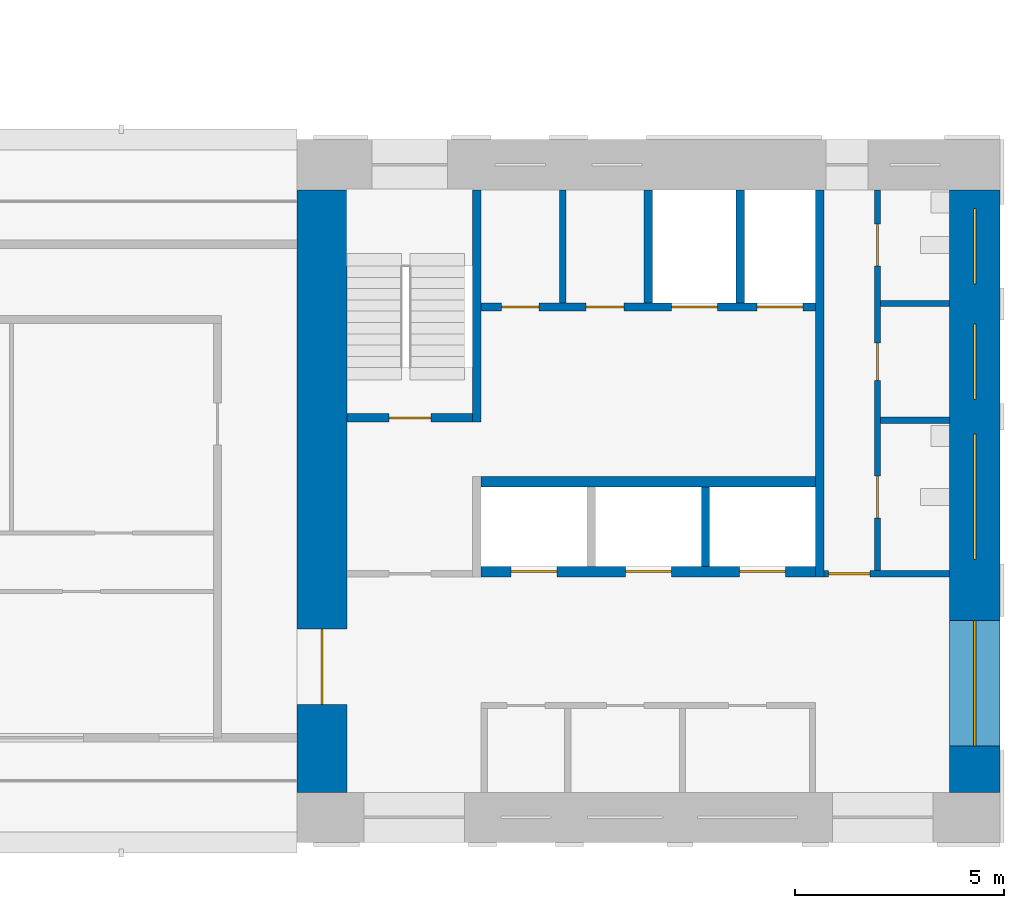
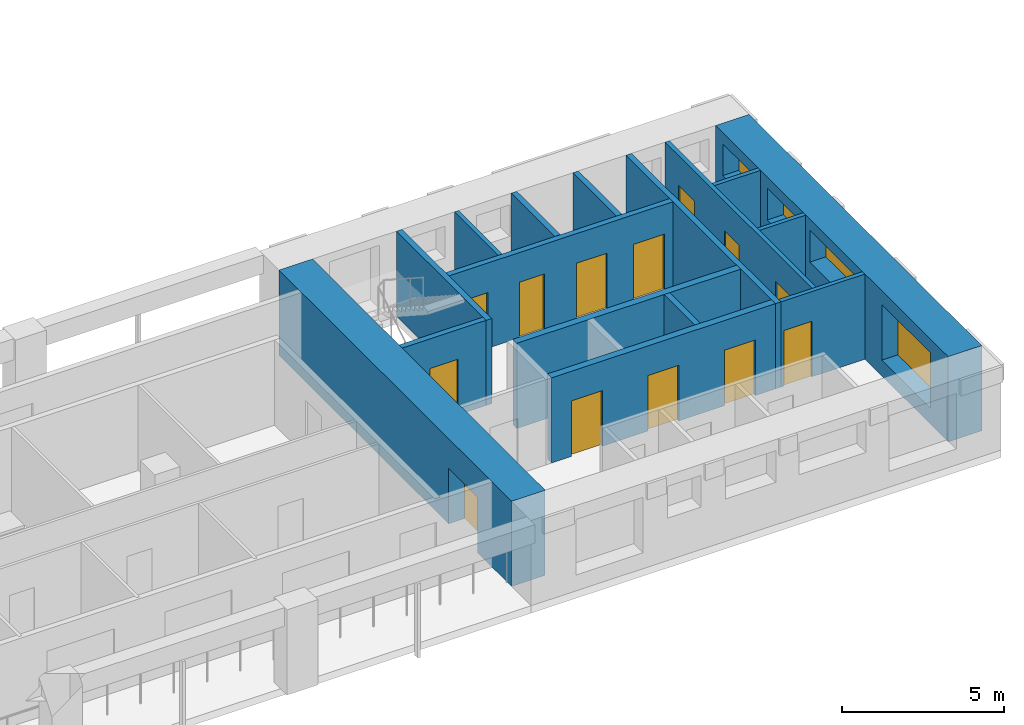
# One storey, part 4 of 9: 16 walls, 13 doors, 4 windows, 17 openings.
"""IFC4 building model written with IfcOpenShell, lengths in metres."""

import ifcopenshell
import ifcopenshell.guid

model = None  # the IFC model being written
_history = None  # IfcOwnerHistory: only IFC2X3 demands one
_inside = {}  # id of a spatial element -> (the spatial element, [elements in it])
_under = {}  # id of a project, library or spatial element -> (it, [spatial elements below it])
_declared = {}  # id of a project -> (the project, [libraries it declares])
_typed = {}  # id of a type object -> (the type object, [elements of that type])
_made_of = {}  # id of a material, layer set ... -> (it, [elements and type objects made of it])


def new_model(schema):
    """Start an empty IFC model of exactly this schema.

    Asked for "IFC4X3", IfcOpenShell would pick the latest addendum, in which some entities
    have other attributes; the version numbers below select the first issue.
    IFC2X3 requires an IfcOwnerHistory on every rooted entity: one is made here for all.
    """
    global model, _history
    if schema == "IFC4X3":
        model = ifcopenshell.file(schema_version=(4, 3, 0, 0))
    else:
        model = ifcopenshell.file(schema=schema)
    _inside.clear()
    _under.clear()
    _declared.clear()
    _typed.clear()
    _made_of.clear()
    _history = None
    if model.schema == "IFC2X3":
        org = make("IfcOrganization", Name="unknown")
        user = make(
            "IfcPersonAndOrganization",
            ThePerson=make("IfcPerson", FamilyName="unknown"),
            TheOrganization=org,
        )
        app = make(
            "IfcApplication",
            ApplicationDeveloper=org,
            Version="unknown",
            ApplicationFullName="unknown",
            ApplicationIdentifier="unknown",
        )
        _history = make(
            "IfcOwnerHistory",
            OwningUser=user,
            OwningApplication=app,
            ChangeAction="ADDED",
            CreationDate=0,
        )
    return model


def make(cls, **values):
    """One entity of the class cls with the attributes given. An attribute that is None is left unset."""
    return model.create_entity(
        cls, **{name: value for name, value in values.items() if value is not None}
    )


def rooted(cls, **values):
    """An entity with a GlobalId (a new one), such as an element, a storey or a relation."""
    return make(cls, GlobalId=ifcopenshell.guid.new(), OwnerHistory=_history, **values)


def si_unit(unit_type, name, prefix=None):
    """IfcSIUnit, for example si_unit("LENGTHUNIT", "METRE", prefix="MILLI")."""
    return make("IfcSIUnit", UnitType=unit_type, Prefix=prefix, Name=name)


def assignment(units):
    """IfcUnitAssignment: the units of a project."""
    return None if units is None else make("IfcUnitAssignment", Units=units)


def point(xyz):
    """IfcCartesianPoint."""
    return None if xyz is None else make("IfcCartesianPoint", Coordinates=xyz)


def direction(xyz):
    """IfcDirection."""
    return None if xyz is None else make("IfcDirection", DirectionRatios=xyz)


def frame(location, z_axis=None, x_axis=None):
    """IfcAxis2Placement3D, a coordinate frame: its origin and axes. An axis left out is left unset."""
    return make(
        "IfcAxis2Placement3D",
        Location=point(location),
        Axis=direction(z_axis),
        RefDirection=direction(x_axis),
    )


def frame_2d(location, x_axis=None):
    """IfcAxis2Placement2D, a coordinate frame in the plane: its origin and x axis."""
    return make(
        "IfcAxis2Placement2D", Location=point(location), RefDirection=direction(x_axis)
    )


def origin():
    """The frame at (0, 0, 0) with its axes left unset."""
    return frame((0.0, 0.0, 0.0))


def place(relative_to, where):
    """IfcLocalPlacement: puts the frame where relative to a parent placement (None: the world)."""
    return make(
        "IfcLocalPlacement", PlacementRelTo=relative_to, RelativePlacement=where
    )


def context(
    kind, dimensions, precision=None, world=None, true_north=None, identifier=None
):
    """IfcGeometricRepresentationContext, for example the 3D "Model" context."""
    return make(
        "IfcGeometricRepresentationContext",
        ContextIdentifier=identifier,
        ContextType=kind,
        CoordinateSpaceDimension=dimensions,
        Precision=precision,
        WorldCoordinateSystem=world,
        TrueNorth=true_north,
    )


def subcontext(parent, identifier, kind, view, scale=None):
    """IfcGeometricRepresentationSubContext, for example "Body" below "Model"."""
    return make(
        "IfcGeometricRepresentationSubContext",
        ContextIdentifier=identifier,
        ContextType=kind,
        ParentContext=parent,
        TargetScale=scale,
        TargetView=view,
    )


def project(units=None, contexts=None):
    """IfcProject with its units and contexts."""
    return rooted(
        "IfcProject",
        Name="project",
        RepresentationContexts=contexts,
        UnitsInContext=assignment(units),
    )


def spatial(cls, under=None, at=None, **own):
    """A site, building, storey or space (cls), placed at a placement, below another one or the project."""
    s = rooted(cls, ObjectPlacement=at, **own)
    if under is not None:
        _under.setdefault(under.id(), (under, []))[1].append(s)
    return s


def profile(cls, at=None, kind="AREA", **sizes):
    """A parametric profile (cls). Its sizes go by their IFC names, for example OverallWidth=200.0."""
    return make(cls, ProfileType=kind, Position=at, **sizes)


def rectangle(**sizes):
    """IfcRectangleProfileDef."""
    return profile("IfcRectangleProfileDef", **sizes)


def extrude(swept, where, along, depth):
    """IfcExtrudedAreaSolid: the profile swept, set in the frame where, extruded along a direction by depth."""
    return make(
        "IfcExtrudedAreaSolid",
        SweptArea=swept,
        Position=where,
        ExtrudedDirection=direction(along),
        Depth=depth,
    )


def shape(context_of_items, identifier, shape_type, items):
    """IfcShapeRepresentation: the items that make up one representation, for example the "Body"."""
    return make(
        "IfcShapeRepresentation",
        ContextOfItems=context_of_items,
        RepresentationIdentifier=identifier,
        RepresentationType=shape_type,
        Items=items,
    )


def material(Name=None, Category=None):
    """IfcMaterial."""
    return make("IfcMaterial", Name=Name, Category=Category)


def layer(
    of_material, thickness, ventilated=None, Name=None, Category=None, Priority=None
):
    """IfcMaterialLayer: one layer of a wall or slab, of a material (None: an air gap)."""
    return make(
        "IfcMaterialLayer",
        Material=of_material,
        LayerThickness=thickness,
        IsVentilated=ventilated,
        Name=Name,
        Category=Category,
        Priority=Priority,
    )


def layer_set(layers, Name=None):
    """IfcMaterialLayerSet."""
    return make("IfcMaterialLayerSet", MaterialLayers=layers, LayerSetName=Name)


def made_of(thing, what):
    """Note that an element or type object is made of a material, layer set ...; save() writes the relation."""
    if what is not None:
        _made_of.setdefault(what.id(), (what, []))[1].append(thing)
    return thing


def type_object(cls, material=None, **own):
    """A type object (cls), such as IfcWallType, which elements share."""
    return made_of(rooted(cls, **own), material)


def element(
    cls,
    number,
    at=None,
    inside=None,
    cuts=None,
    type_object=None,
    material=None,
    context=None,
    identifier="Body",
    shape_type=None,
    held_by="IfcProductDefinitionShape",
    body=None,
    shapes=None,
    **own,
):
    """One element of the class cls, such as IfcWall. Its Tag is "e" and its number.

    at: its placement. inside: the storey or other place that contains it. cuts: it is an
    opening in that element (IfcRelVoidsElement). A single representation is given by context,
    identifier, shape_type and body (its items); several are given by shapes. held_by: the class
    of the entity that holds the representations. save() writes the other relations.
    """
    e = rooted(cls, Tag="e%d" % number, ObjectPlacement=at, **own)
    if body is not None:
        shapes = [shape(context, identifier, shape_type, body)]
    if shapes is not None:
        e.Representation = make(held_by, Representations=shapes)
    if inside is not None:
        _inside.setdefault(inside.id(), (inside, []))[1].append(e)
    if cuts is not None:
        rooted(
            "IfcRelVoidsElement", RelatingBuildingElement=cuts, RelatedOpeningElement=e
        )
    if type_object is not None:
        _typed.setdefault(type_object.id(), (type_object, []))[1].append(e)
    return made_of(e, material)


def fill(opening, filler):
    """IfcRelFillsElement: the door or window that sits in an opening."""
    return rooted(
        "IfcRelFillsElement",
        RelatingOpeningElement=opening,
        RelatedBuildingElement=filler,
    )


def aggregate(whole, parts):
    """IfcRelAggregates: a whole, such as a stair, and the parts it consists of."""
    return rooted("IfcRelAggregates", RelatingObject=whole, RelatedObjects=parts)


def save(model, path):
    """Write the relations noted so far, then the file.

    IfcRelAggregates (storeys below a building ...), IfcRelContainedInSpatialStructure (elements
    in a storey), IfcRelDefinesByType, IfcRelAssociatesMaterial and IfcRelDeclares: one each for
    every whole, place, type object, material and project.
    """
    for whole, parts in _under.values():
        aggregate(whole, parts)
    for where, things in _inside.values():
        rooted(
            "IfcRelContainedInSpatialStructure",
            RelatedElements=things,
            RelatingStructure=where,
        )
    for kind, things in _typed.values():
        rooted("IfcRelDefinesByType", RelatedObjects=things, RelatingType=kind)
    for what, things in _made_of.values():
        rooted("IfcRelAssociatesMaterial", RelatedObjects=things, RelatingMaterial=what)
    for by, libraries in _declared.values():
        rooted("IfcRelDeclares", RelatingContext=by, RelatedDefinitions=libraries)
    model.write(path)


model = new_model("IFC4")

# Units and contexts
model_context = context("Model", 3, precision=1e-05, world=origin(), true_north=direction((0.0, 1.0)))
body_context = subcontext(model_context, "Body", "Model", "MODEL_VIEW")
ifc_project = project(units=[si_unit("LENGTHUNIT", "METRE"), si_unit("AREAUNIT", "SQUARE_METRE"), si_unit("VOLUMEUNIT", "CUBIC_METRE"), si_unit("PLANEANGLEUNIT", "RADIAN"), si_unit("MASSUNIT", "GRAM", prefix="KILO")], contexts=[model_context])

# Site, building, storey
site_placement = place(None, origin())
site = spatial("IfcSite", under=ifc_project, at=site_placement, CompositionType="ELEMENT")
building_placement = place(site_placement, origin())
building = spatial("IfcBuilding", under=site, at=building_placement, Name="Vermilion Gate Residences", CompositionType="ELEMENT")
storey_placement = place(building_placement, frame((0.0, 0.0, 231.699951171875)))
storey = spatial("IfcBuildingStorey", under=building, at=storey_placement, Name="L60", CompositionType="ELEMENT", Elevation=231.699951171875)

# Wall
ifc_material_1 = material(Name="Masonry blockwork", Category="masonry")
ifc_layer_1 = layer(ifc_material_1, 0.14990234375)
ifc_layer_set_1 = layer_set([ifc_layer_1], Name="BLOCKWORK PARTITION 150 EI 120")
wall_type_1 = type_object("IfcWallType", Name="BLOCKWORK PARTITION 150 EI 120", PredefinedType="PARTITIONING", material=ifc_layer_set_1)
wall_1_placement = place(storey_placement, frame((48.35009765625, 21.300048828125, 0.0), z_axis=(0.0, 0.0, 1.0), x_axis=(0.0, 1.0, 0.0)))
element("IfcWall", 1, at=wall_1_placement, inside=storey, type_object=wall_type_1, Name="Core room partition A60-NR-P0", PredefinedType="PARTITIONING", context=body_context, shape_type="SweptSolid", body=[
    extrude(rectangle(XDim=2.699951171875, YDim=0.14990234375, at=frame_2d((1.35009765625, 0.0))), origin(), (0.0, 0.0, 1.0), 3.219970703125),
])

# Wall, opening, door
wall_2_placement = place(storey_placement, frame((54.60009765625, 14.824951171875, 0.0), z_axis=(0.0, 0.0, 1.0), x_axis=(1.0, 0.0, 0.0)))
wall_2 = element("IfcWall", 2, at=wall_2_placement, inside=storey, type_object=wall_type_1, Name="Core room partition A60-ES-S", PredefinedType="PARTITIONING", context=body_context, shape_type="SweptSolid", body=[
    extrude(rectangle(XDim=3.0, YDim=0.14990234375, at=frame_2d((1.5, 0.0))), origin(), (0.0, 0.0, 1.0), 3.219970703125),
])
opening_1_placement = place(wall_2_placement, frame((0.10009765625, 0.0, 0.0)))
opening_1 = element("IfcOpeningElement", 3, at=opening_1_placement, cuts=wall_2, Name="Opening DK60014", PredefinedType="OPENING", context=body_context, shape_type="SweptSolid", body=[
    extrude(rectangle(XDim=1.0, YDim=2.10009765625, at=frame_2d((0.5, 1.050048828125))), frame((0.0, 0.0849609375, 0.0), z_axis=(0.0, -1.0, 0.0), x_axis=(1.0, 0.0, 0.0)), (0.0, 0.0, 1.0), 0.169921875),
])
ifc_material_2 = material(Name="Steel", Category="steel")
door_type_1 = type_object("IfcDoorType", Name="FIRE DOOR FD60 1000 X 2100", OperationType="SINGLE_SWING_LEFT", PredefinedType="DOOR", material=ifc_material_2)
door_1_placement = place(opening_1_placement, frame((1.0, 0.0, 0.0), z_axis=(0.0, 0.0, 1.0), x_axis=(-1.0, 0.0, 0.0)))
door_1 = element("IfcDoor", 4, at=door_1_placement, inside=storey, type_object=door_type_1, Name="Service corridor door A60", OperationType="SINGLE_SWING_LEFT", OverallHeight=2.10009765625, OverallWidth=1.0, PredefinedType="DOOR", context=body_context, shape_type="SweptSolid", body=[
    extrude(rectangle(XDim=1.0, YDim=2.10009765625, at=frame_2d((0.5, 1.050048828125))), frame((0.0, 0.02490234375, 0.0), z_axis=(0.0, -1.0, 0.0), x_axis=(1.0, 0.0, 0.0)), (0.0, 0.0, 1.0), 0.050048828125),
])
fill(opening_1, door_1)

# Walls
for number, where, z_axis, x_axis, name in (
    (5, (55.949951171875, 18.4951171875, 0.0), (0.0, 0.0, 1.0), (1.0, 0.0, 0.0), "Core room partition A60-ES-P0"),
    (6, (55.949951171875, 21.284912109375, 0.0), (0.0, 0.0, 1.0), (1.0, 0.0, 0.0), "Core room partition A60-ES-P1"),
):
    element("IfcWall", number, at=place(storey_placement, frame(where, z_axis=z_axis, x_axis=x_axis)), inside=storey, type_object=wall_type_1, Name=name, PredefinedType="PARTITIONING", context=body_context, shape_type="SweptSolid", body=[
        extrude(rectangle(XDim=1.650146484375, YDim=0.14990234375, at=frame_2d((0.8251953125, 0.0))), origin(), (0.0, 0.0, 1.0), 3.219970703125),
    ])

# Wall, openings, doors
wall_3_placement = place(storey_placement, frame((55.875, 14.89990234375, 0.0), z_axis=(0.0, 0.0, 1.0), x_axis=(0.0, 1.0, 0.0)))
wall_3 = element("IfcWall", 7, at=wall_3_placement, inside=storey, type_object=wall_type_1, Name="Core room partition A60-ES-W", PredefinedType="PARTITIONING", context=body_context, shape_type="SweptSolid", body=[
    extrude(rectangle(XDim=9.10009765625, YDim=0.14990234375, at=frame_2d((4.550048828125, 0.0))), origin(), (0.0, 0.0, 1.0), 3.219970703125),
])
opening_2_placement = place(wall_3_placement, frame((1.260009765625, 0.0, 0.0)))
opening_2 = element("IfcOpeningElement", 8, at=opening_2_placement, cuts=wall_3, Name="Opening DK60015", PredefinedType="OPENING", context=body_context, shape_type="SweptSolid", body=[
    extrude(rectangle(XDim=1.0, YDim=2.10009765625, at=frame_2d((0.5, 1.050048828125))), frame((0.0, 0.0849609375, 0.0), z_axis=(0.0, -1.0, 0.0), x_axis=(1.0, 0.0, 0.0)), (0.0, 0.0, 1.0), 0.169921875),
])
opening_3_placement = place(wall_3_placement, frame((4.5400390625, 0.0, 0.0)))
opening_3 = element("IfcOpeningElement", 9, at=opening_3_placement, cuts=wall_3, Name="Opening DK60016", PredefinedType="OPENING", context=body_context, shape_type="SweptSolid", body=[
    extrude(rectangle(XDim=0.89990234375, YDim=2.10009765625, at=frame_2d((0.449951171875, 1.050048828125))), frame((0.0, 0.0849609375, 0.0), z_axis=(0.0, -1.0, 0.0), x_axis=(1.0, 0.0, 0.0)), (0.0, 0.0, 1.0), 0.169921875),
])
opening_4_placement = place(wall_3_placement, frame((7.280029296875, 0.0, 0.0)))
opening_4 = element("IfcOpeningElement", 10, at=opening_4_placement, cuts=wall_3, Name="Opening DK60017", PredefinedType="OPENING", context=body_context, shape_type="SweptSolid", body=[
    extrude(rectangle(XDim=1.0, YDim=2.10009765625, at=frame_2d((0.5, 1.050048828125))), frame((0.0, 0.0849609375, 0.0), z_axis=(0.0, -1.0, 0.0), x_axis=(1.0, 0.0, 0.0)), (0.0, 0.0, 1.0), 0.169921875),
])
door_2_placement = place(opening_2_placement, frame((1.0, 0.0, 0.0), z_axis=(0.0, 0.0, 1.0), x_axis=(-1.0, 0.0, 0.0)))
door_2 = element("IfcDoor", 11, at=door_2_placement, inside=storey, type_object=door_type_1, Name="Accessible WC A60", OperationType="SINGLE_SWING_RIGHT", OverallHeight=2.10009765625, OverallWidth=1.0, PredefinedType="DOOR", context=body_context, shape_type="SweptSolid", body=[
    extrude(rectangle(XDim=1.0, YDim=2.10009765625, at=frame_2d((0.5, 1.050048828125))), frame((0.0, 0.02490234375, 0.0), z_axis=(0.0, -1.0, 0.0), x_axis=(1.0, 0.0, 0.0)), (0.0, 0.0, 1.0), 0.050048828125),
])
fill(opening_2, door_2)
door_3_placement = place(opening_4_placement, frame((1.0, 0.0, 0.0), z_axis=(0.0, 0.0, 1.0), x_axis=(-1.0, 0.0, 0.0)))
door_3 = element("IfcDoor", 12, at=door_3_placement, inside=storey, type_object=door_type_1, Name="Accessible WC A60", OperationType="SINGLE_SWING_RIGHT", OverallHeight=2.10009765625, OverallWidth=1.0, PredefinedType="DOOR", context=body_context, shape_type="SweptSolid", body=[
    extrude(rectangle(XDim=1.0, YDim=2.10009765625, at=frame_2d((0.5, 1.050048828125))), frame((0.0, 0.02490234375, 0.0), z_axis=(0.0, -1.0, 0.0), x_axis=(1.0, 0.0, 0.0)), (0.0, 0.0, 1.0), 0.050048828125),
])
fill(opening_4, door_3)
ifc_material_3 = material(Name="Steel", Category="steel")
door_type_2 = type_object("IfcDoorType", Name="SERVICE ROOM DOOR FD60 900 X 2100", OperationType="SINGLE_SWING_LEFT", PredefinedType="DOOR", material=ifc_material_3)
door_4_placement = place(opening_3_placement, frame((0.89990234375, 0.0, 0.0), z_axis=(0.0, 0.0, 1.0), x_axis=(-1.0, 0.0, 0.0)))
door_4 = element("IfcDoor", 13, at=door_4_placement, inside=storey, type_object=door_type_2, Name="Communications room A60", OperationType="SINGLE_SWING_RIGHT", OverallHeight=2.10009765625, OverallWidth=0.89990234375, PredefinedType="DOOR", context=body_context, shape_type="SweptSolid", body=[
    extrude(rectangle(XDim=0.89990234375, YDim=2.10009765625, at=frame_2d((0.449951171875, 1.050048828125))), frame((0.0, 0.02490234375, 0.0), z_axis=(0.0, -1.0, 0.0), x_axis=(1.0, 0.0, 0.0)), (0.0, 0.0, 1.0), 0.050048828125),
])
fill(opening_3, door_4)

# Walls
ifc_material_4 = material(Name="Concrete C60", Category="concrete")
ifc_layer_2 = layer(ifc_material_4, 0.199951171875)
ifc_layer_set_2 = layer_set([ifc_layer_2], Name="RC CORE INTERNAL WALL 200 C60")
wall_type_2 = type_object("IfcWallType", Name="RC CORE INTERNAL WALL 200 C60", PredefinedType="SHEAR", material=ifc_layer_set_2)
wall_4_placement = place(storey_placement, frame((51.7666015625, 15.0, 0.0), z_axis=(0.0, 0.0, 1.0), x_axis=(0.0, 1.0, 0.0)))
element("IfcWall", 14, at=wall_4_placement, inside=storey, type_object=wall_type_2, Name="Core internal wall A60-HR-D2", PredefinedType="SHEAR", context=body_context, shape_type="SweptSolid", body=[
    extrude(rectangle(XDim=1.89990234375, YDim=0.199951171875, at=frame_2d((0.949951171875, 0.0))), origin(), (0.0, 0.0, 1.0), 3.219970703125),
])
for number, where, z_axis, x_axis, name in (
    (15, (50.39990234375, 21.300048828125, 0.0), (0.0, 0.0, 1.0), (0.0, 1.0, 0.0), "Core internal wall A60-FF-D0"),
    (16, (52.60009765625, 21.300048828125, 0.0), (0.0, 0.0, 1.0), (0.0, 1.0, 0.0), "Core internal wall A60-FF-D1"),
):
    element("IfcWall", number, at=place(storey_placement, frame(where, z_axis=z_axis, x_axis=x_axis)), inside=storey, type_object=wall_type_2, Name=name, PredefinedType="SHEAR", context=body_context, shape_type="SweptSolid", body=[
        extrude(rectangle(XDim=2.699951171875, YDim=0.199951171875, at=frame_2d((1.35009765625, 0.0))), origin(), (0.0, 0.0, 1.0), 3.219970703125),
    ])

# Wall, openings, doors
wall_5_placement = place(storey_placement, frame((46.39990234375, 21.199951171875, 0.0), z_axis=(0.0, 0.0, 1.0), x_axis=(1.0, 0.0, 0.0)))
wall_5 = element("IfcWall", 17, at=wall_5_placement, inside=storey, type_object=wall_type_2, Name="Core internal wall A60-FF-F", PredefinedType="SHEAR", context=body_context, shape_type="SweptSolid", body=[
    extrude(rectangle(XDim=8.0, YDim=0.199951171875, at=frame_2d((4.0, 0.0))), origin(), (0.0, 0.0, 1.0), 3.219970703125),
])
opening_5_placement = place(wall_5_placement, frame((0.487548828125, 0.0, 0.0)))
opening_5 = element("IfcOpeningElement", 18, at=opening_5_placement, cuts=wall_5, Name="Opening DK60008", PredefinedType="OPENING", context=body_context, shape_type="SweptSolid", body=[
    extrude(rectangle(XDim=0.89990234375, YDim=2.10009765625, at=frame_2d((0.449951171875, 1.050048828125))), frame((0.0, 0.10986328125, 0.0), z_axis=(0.0, -1.0, 0.0), x_axis=(1.0, 0.0, 0.0)), (0.0, 0.0, 1.0), 0.219970703125),
])
opening_6_placement = place(wall_5_placement, frame((2.512451171875, 0.0, 0.0)))
opening_6 = element("IfcOpeningElement", 19, at=opening_6_placement, cuts=wall_5, Name="Opening DK60009", PredefinedType="OPENING", context=body_context, shape_type="SweptSolid", body=[
    extrude(rectangle(XDim=0.89990234375, YDim=2.10009765625, at=frame_2d((0.449951171875, 1.050048828125))), frame((0.0, 0.10986328125, 0.0), z_axis=(0.0, -1.0, 0.0), x_axis=(1.0, 0.0, 0.0)), (0.0, 0.0, 1.0), 0.219970703125),
])
opening_7_placement = place(wall_5_placement, frame((4.550048828125, 0.0, 0.0)))
opening_7 = element("IfcOpeningElement", 20, at=opening_7_placement, cuts=wall_5, Name="Opening LD", PredefinedType="OPENING", context=body_context, shape_type="SweptSolid", body=[
    extrude(rectangle(XDim=1.10009765625, YDim=2.10009765625, at=frame_2d((0.550048828125, 1.050048828125))), frame((0.0, 0.10986328125, 0.0), z_axis=(0.0, -1.0, 0.0), x_axis=(1.0, 0.0, 0.0)), (0.0, 0.0, 1.0), 0.219970703125),
])
opening_8_placement = place(wall_5_placement, frame((6.60009765625, 0.0, 0.0)))
opening_8 = element("IfcOpeningElement", 21, at=opening_8_placement, cuts=wall_5, Name="Opening LD", PredefinedType="OPENING", context=body_context, shape_type="SweptSolid", body=[
    extrude(rectangle(XDim=1.10009765625, YDim=2.10009765625, at=frame_2d((0.550048828125, 1.050048828125))), frame((0.0, 0.10986328125, 0.0), z_axis=(0.0, -1.0, 0.0), x_axis=(1.0, 0.0, 0.0)), (0.0, 0.0, 1.0), 0.219970703125),
])
ifc_material_5 = material(Name="Stainless steel", Category="steel")
door_type_3 = type_object("IfcDoorType", Name="LIFT LANDING DOOR E60 1100 X 2100", OperationType="DOUBLE_DOOR_SLIDING", PredefinedType="DOOR", material=ifc_material_5)
door_5_placement = place(opening_7_placement, origin())
door_5 = element("IfcDoor", 22, at=door_5_placement, inside=storey, type_object=door_type_3, Name="Lift landing door LFA1", OperationType="DOUBLE_DOOR_SLIDING", OverallHeight=2.10009765625, OverallWidth=1.10009765625, PredefinedType="DOOR", context=body_context, shape_type="SweptSolid", body=[
    extrude(rectangle(XDim=1.10009765625, YDim=2.10009765625, at=frame_2d((0.550048828125, 1.050048828125))), frame((0.0, 0.02490234375, 0.0), z_axis=(0.0, -1.0, 0.0), x_axis=(1.0, 0.0, 0.0)), (0.0, 0.0, 1.0), 0.050048828125),
])
fill(opening_7, door_5)
door_6_placement = place(opening_8_placement, origin())
door_6 = element("IfcDoor", 23, at=door_6_placement, inside=storey, type_object=door_type_3, Name="Lift landing door LCA1", OperationType="DOUBLE_DOOR_SLIDING", OverallHeight=2.10009765625, OverallWidth=1.10009765625, PredefinedType="DOOR", context=body_context, shape_type="SweptSolid", body=[
    extrude(rectangle(XDim=1.10009765625, YDim=2.10009765625, at=frame_2d((0.550048828125, 1.050048828125))), frame((0.0, 0.02490234375, 0.0), z_axis=(0.0, -1.0, 0.0), x_axis=(1.0, 0.0, 0.0)), (0.0, 0.0, 1.0), 0.050048828125),
])
fill(opening_8, door_6)
door_7_placement = place(opening_5_placement, origin())
door_7 = element("IfcDoor", 24, at=door_7_placement, inside=storey, type_object=door_type_2, Name="Housekeeping store A60", OperationType="SINGLE_SWING_LEFT", OverallHeight=2.10009765625, OverallWidth=0.89990234375, PredefinedType="DOOR", context=body_context, shape_type="SweptSolid", body=[
    extrude(rectangle(XDim=0.89990234375, YDim=2.10009765625, at=frame_2d((0.449951171875, 1.050048828125))), frame((0.0, 0.02490234375, 0.0), z_axis=(0.0, -1.0, 0.0), x_axis=(1.0, 0.0, 0.0)), (0.0, 0.0, 1.0), 0.050048828125),
])
fill(opening_5, door_7)
door_8_placement = place(opening_6_placement, origin())
door_8 = element("IfcDoor", 25, at=door_8_placement, inside=storey, type_object=door_type_2, Name="Mail room A60", OperationType="SINGLE_SWING_LEFT", OverallHeight=2.10009765625, OverallWidth=0.89990234375, PredefinedType="DOOR", context=body_context, shape_type="SweptSolid", body=[
    extrude(rectangle(XDim=0.89990234375, YDim=2.10009765625, at=frame_2d((0.449951171875, 1.050048828125))), frame((0.0, 0.02490234375, 0.0), z_axis=(0.0, -1.0, 0.0), x_axis=(1.0, 0.0, 0.0)), (0.0, 0.0, 1.0), 0.050048828125),
])
fill(opening_6, door_8)

# Wall
wall_6_placement = place(storey_placement, frame((46.300048828125, 18.449951171875, 0.0), z_axis=(0.0, 0.0, 1.0), x_axis=(0.0, 1.0, 0.0)))
element("IfcWall", 26, at=wall_6_placement, inside=storey, type_object=wall_type_2, Name="Core internal wall A60-WDIV2", PredefinedType="SHEAR", context=body_context, shape_type="SweptSolid", body=[
    extrude(rectangle(XDim=5.550048828125, YDim=0.199951171875, at=frame_2d((2.77490234375, 0.0))), origin(), (0.0, 0.0, 1.0), 3.219970703125),
])

# Wall, opening, door
wall_7_placement = place(storey_placement, frame((43.199951171875, 18.550048828125, 0.0), z_axis=(0.0, 0.0, 1.0), x_axis=(1.0, 0.0, 0.0)))
wall_7 = element("IfcWall", 27, at=wall_7_placement, inside=storey, type_object=wall_type_2, Name="Core internal wall A60-STW-S", PredefinedType="SHEAR", context=body_context, shape_type="SweptSolid", body=[
    extrude(rectangle(XDim=3.0, YDim=0.199951171875, at=frame_2d((1.5, 0.0))), origin(), (0.0, 0.0, 1.0), 3.219970703125),
])
opening_9_placement = place(wall_7_placement, frame((1.0, 0.0, 0.0)))
opening_9 = element("IfcOpeningElement", 28, at=opening_9_placement, cuts=wall_7, Name="Opening DK60013", PredefinedType="OPENING", context=body_context, shape_type="SweptSolid", body=[
    extrude(rectangle(XDim=1.0, YDim=2.10009765625, at=frame_2d((0.5, 1.050048828125))), frame((0.0, 0.10986328125, 0.0), z_axis=(0.0, -1.0, 0.0), x_axis=(1.0, 0.0, 0.0)), (0.0, 0.0, 1.0), 0.219970703125),
])
door_9_placement = place(opening_9_placement, origin())
door_9 = element("IfcDoor", 29, at=door_9_placement, inside=storey, type_object=door_type_1, Name="Stair door A60", OperationType="SINGLE_SWING_LEFT", OverallHeight=2.10009765625, OverallWidth=1.0, PredefinedType="DOOR", context=body_context, shape_type="SweptSolid", body=[
    extrude(rectangle(XDim=1.0, YDim=2.10009765625, at=frame_2d((0.5, 1.050048828125))), frame((0.0, 0.02490234375, 0.0), z_axis=(0.0, -1.0, 0.0), x_axis=(1.0, 0.0, 0.0)), (0.0, 0.0, 1.0), 0.050048828125),
])
fill(opening_9, door_9)

# Wall
wall_8_placement = place(storey_placement, frame((54.5, 14.75, 0.0), z_axis=(0.0, 0.0, 1.0), x_axis=(0.0, 1.0, 0.0)))
element("IfcWall", 30, at=wall_8_placement, inside=storey, type_object=wall_type_2, Name="Core internal wall A60-EDIV", PredefinedType="SHEAR", context=body_context, shape_type="SweptSolid", body=[
    extrude(rectangle(XDim=9.25, YDim=0.199951171875, at=frame_2d((4.625, 0.0))), origin(), (0.0, 0.0, 1.0), 3.219970703125),
])

# Wall, opening, door
ifc_material_6 = material(Name="Concrete C50", Category="concrete")
ifc_layer_3 = layer(ifc_material_6, 1.199951171875)
ifc_layer_set_3 = layer_set([ifc_layer_3], Name="RC CORE WALL 1200 C50")
wall_type_3 = type_object("IfcWallType", Name="RC CORE WALL 1200 C50", PredefinedType="SHEAR", material=ifc_layer_set_3)
wall_9_placement = place(storey_placement, frame((42.60009765625, 9.60009765625, 0.0), z_axis=(0.0, 0.0, 1.0), x_axis=(0.0, 1.0, 0.0)))
wall_9 = element("IfcWall", 31, at=wall_9_placement, inside=storey, type_object=wall_type_3, Name="Core wall A60-OUT-FR", PredefinedType="SHEAR", context=body_context, shape_type="SweptSolid", body=[
    extrude(rectangle(XDim=14.39990234375, YDim=1.199951171875, at=frame_2d((7.199951171875, 0.0))), origin(), (0.0, 0.0, 1.0), 3.219970703125),
])
opening_10_placement = place(wall_9_placement, frame((2.10009765625, 0.0, 0.0)))
opening_10 = element("IfcOpeningElement", 32, at=opening_10_placement, cuts=wall_9, Name="Opening DK60001", PredefinedType="OPENING", context=body_context, shape_type="SweptSolid", body=[
    extrude(rectangle(XDim=1.800048828125, YDim=2.10009765625, at=frame_2d((0.89990234375, 1.050048828125))), frame((0.0, 0.60986328125, 0.0), z_axis=(0.0, -1.0, 0.0), x_axis=(1.0, 0.0, 0.0)), (0.0, 0.0, 1.0), 1.219970703125),
])
ifc_material_7 = material(Name="Steel", Category="steel")
door_type_4 = type_object("IfcDoorType", Name="CORE LOBBY DOOR FD60 1800 X 2100", OperationType="DOUBLE_DOOR_SINGLE_SWING", PredefinedType="DOOR", material=ifc_material_7)
door_10_placement = place(opening_10_placement, frame((1.800048828125, 0.0, 0.0), z_axis=(0.0, 0.0, 1.0), x_axis=(-1.0, 0.0, 0.0)))
door_10 = element("IfcDoor", 33, at=door_10_placement, inside=storey, type_object=door_type_4, Name="Core lobby door A60", OperationType="DOUBLE_DOOR_SINGLE_SWING", OverallHeight=2.10009765625, OverallWidth=1.800048828125, PredefinedType="DOOR", context=body_context, shape_type="SweptSolid", body=[
    extrude(rectangle(XDim=1.800048828125, YDim=2.10009765625, at=frame_2d((0.89990234375, 1.050048828125))), frame((0.0, 0.02490234375, 0.0), z_axis=(0.0, -1.0, 0.0), x_axis=(1.0, 0.0, 0.0)), (0.0, 0.0, 1.0), 0.050048828125),
])
fill(opening_10, door_10)

# Wall, openings, windows
ifc_material_8 = material(Name="Concrete C50 red-oxide pigmented", Category="concrete")
ifc_layer_4 = layer(ifc_material_8, 1.199951171875)
ifc_layer_set_4 = layer_set([ifc_layer_4], Name="RC CORE WALL 1200 C50 RED OXIDE")
wall_type_4 = type_object("IfcWallType", Name="RC CORE WALL 1200 C50 RED OXIDE", PredefinedType="SHEAR", material=ifc_layer_set_4)
wall_10_placement = place(storey_placement, frame((58.199951171875, 9.60009765625, 0.0), z_axis=(0.0, 0.0, 1.0), x_axis=(0.0, 1.0, 0.0)))
wall_10 = element("IfcWall", 34, at=wall_10_placement, inside=storey, type_object=wall_type_4, Name="Core wall A60-OUT-BK", PredefinedType="SHEAR", context=body_context, shape_type="SweptSolid", body=[
    extrude(rectangle(XDim=14.39990234375, YDim=1.199951171875, at=frame_2d((7.199951171875, 0.0))), origin(), (0.0, 0.0, 1.0), 3.219970703125),
])
opening_11_placement = place(wall_10_placement, frame((1.10498046875, 0.0, 0.60009765625)))
opening_11 = element("IfcOpeningElement", 35, at=opening_11_placement, cuts=wall_10, Name="Opening WKA6011", PredefinedType="OPENING", context=body_context, shape_type="SweptSolid", body=[
    extrude(rectangle(XDim=3.0, YDim=2.10009765625, at=frame_2d((1.5, 1.050048828125))), frame((0.0, 0.60986328125, 0.0), z_axis=(0.0, -1.0, 0.0), x_axis=(1.0, 0.0, 0.0)), (0.0, 0.0, 1.0), 1.219970703125),
])
opening_12_placement = place(wall_10_placement, frame((5.56005859375, 0.0, 1.60009765625)))
opening_12 = element("IfcOpeningElement", 36, at=opening_12_placement, cuts=wall_10, Name="Opening WKA6012", PredefinedType="OPENING", context=body_context, shape_type="SweptSolid", body=[
    extrude(rectangle(XDim=3.0, YDim=1.199951171875, at=frame_2d((1.5, 0.60009765625))), frame((0.0, 0.60986328125, 0.0), z_axis=(0.0, -1.0, 0.0), x_axis=(1.0, 0.0, 0.0)), (0.0, 0.0, 1.0), 1.219970703125),
])
opening_13_placement = place(wall_10_placement, frame((9.389892578125, 0.0, 1.60009765625)))
opening_13 = element("IfcOpeningElement", 37, at=opening_13_placement, cuts=wall_10, Name="Opening WKA6013", PredefinedType="OPENING", context=body_context, shape_type="SweptSolid", body=[
    extrude(rectangle(XDim=1.800048828125, YDim=1.199951171875, at=frame_2d((0.89990234375, 0.60009765625))), frame((0.0, 0.60986328125, 0.0), z_axis=(0.0, -1.0, 0.0), x_axis=(1.0, 0.0, 0.0)), (0.0, 0.0, 1.0), 1.219970703125),
])
opening_14_placement = place(wall_10_placement, frame((12.14990234375, 0.0, 1.60009765625)))
opening_14 = element("IfcOpeningElement", 38, at=opening_14_placement, cuts=wall_10, Name="Opening WKA6014", PredefinedType="OPENING", context=body_context, shape_type="SweptSolid", body=[
    extrude(rectangle(XDim=1.800048828125, YDim=1.199951171875, at=frame_2d((0.89990234375, 0.60009765625))), frame((0.0, 0.60986328125, 0.0), z_axis=(0.0, -1.0, 0.0), x_axis=(1.0, 0.0, 0.0)), (0.0, 0.0, 1.0), 1.219970703125),
])
ifc_material_9 = material(Name="Aluminium and clear glass", Category="aluminium")
window_type_1 = type_object("IfcWindowType", Name="CORE LOBBY WINDOW 3000 X 2100", PartitioningType="SINGLE_PANEL", PredefinedType="WINDOW", material=ifc_material_9)
window_1_placement = place(opening_11_placement, origin())
window_1 = element("IfcWindow", 39, at=window_1_placement, inside=storey, type_object=window_type_1, Name="Core lobby window", OverallHeight=2.10009765625, OverallWidth=3.0, PartitioningType="SINGLE_PANEL", PredefinedType="WINDOW", context=body_context, shape_type="SweptSolid", body=[
    extrude(rectangle(XDim=3.0, YDim=2.10009765625, at=frame_2d((1.5, 1.050048828125))), frame((0.0, 0.030029296875, 0.0), z_axis=(0.0, -1.0, 0.0), x_axis=(1.0, 0.0, 0.0)), (0.0, 0.0, 1.0), 0.06005859375),
])
fill(opening_11, window_1)
ifc_material_10 = material(Name="Aluminium frame with louvre blades", Category="aluminium")
window_type_2 = type_object("IfcWindowType", Name="CORE LOUVRE 1800 X 1200", PartitioningType="SINGLE_PANEL", PredefinedType="WINDOW", material=ifc_material_10)
window_2_placement = place(opening_13_placement, origin())
window_2 = element("IfcWindow", 40, at=window_2_placement, inside=storey, type_object=window_type_2, Name="Core louvre", OverallHeight=1.199951171875, OverallWidth=1.800048828125, PartitioningType="SINGLE_PANEL", PredefinedType="WINDOW", context=body_context, shape_type="SweptSolid", body=[
    extrude(rectangle(XDim=1.800048828125, YDim=1.199951171875, at=frame_2d((0.89990234375, 0.60009765625))), frame((0.0, 0.030029296875, 0.0), z_axis=(0.0, -1.0, 0.0), x_axis=(1.0, 0.0, 0.0)), (0.0, 0.0, 1.0), 0.06005859375),
])
fill(opening_13, window_2)
window_3_placement = place(opening_14_placement, origin())
window_3 = element("IfcWindow", 41, at=window_3_placement, inside=storey, type_object=window_type_2, Name="Core louvre", OverallHeight=1.199951171875, OverallWidth=1.800048828125, PartitioningType="SINGLE_PANEL", PredefinedType="WINDOW", context=body_context, shape_type="SweptSolid", body=[
    extrude(rectangle(XDim=1.800048828125, YDim=1.199951171875, at=frame_2d((0.89990234375, 0.60009765625))), frame((0.0, 0.030029296875, 0.0), z_axis=(0.0, -1.0, 0.0), x_axis=(1.0, 0.0, 0.0)), (0.0, 0.0, 1.0), 0.06005859375),
])
fill(opening_14, window_3)
ifc_material_11 = material(Name="Aluminium frame with louvre blades", Category="aluminium")
window_type_3 = type_object("IfcWindowType", Name="CORE LOUVRE 3000 X 1200", PartitioningType="SINGLE_PANEL", PredefinedType="WINDOW", material=ifc_material_11)
window_4_placement = place(opening_12_placement, origin())
window_4 = element("IfcWindow", 42, at=window_4_placement, inside=storey, type_object=window_type_3, Name="Core louvre", OverallHeight=1.199951171875, OverallWidth=3.0, PartitioningType="SINGLE_PANEL", PredefinedType="WINDOW", context=body_context, shape_type="SweptSolid", body=[
    extrude(rectangle(XDim=3.0, YDim=1.199951171875, at=frame_2d((1.5, 0.60009765625))), frame((0.0, 0.030029296875, 0.0), z_axis=(0.0, -1.0, 0.0), x_axis=(1.0, 0.0, 0.0)), (0.0, 0.0, 1.0), 0.06005859375),
])
fill(opening_12, window_4)

# Wall, openings, doors
ifc_material_12 = material(Name="Concrete C60", Category="concrete")
ifc_layer_5 = layer(ifc_material_12, 0.25)
ifc_layer_set_5 = layer_set([ifc_layer_5], Name="RC LIFT SHAFT WALL 250 C60")
wall_type_5 = type_object("IfcWallType", Name="RC LIFT SHAFT WALL 250 C60", PredefinedType="SHEAR", material=ifc_layer_set_5)
wall_11_placement = place(storey_placement, frame((46.39990234375, 14.875, 0.0), z_axis=(0.0, 0.0, 1.0), x_axis=(1.0, 0.0, 0.0)))
wall_11 = element("IfcWall", 43, at=wall_11_placement, inside=storey, type_object=wall_type_5, Name="Lift shaft wall A60-HR-F", PredefinedType="SHEAR", context=body_context, shape_type="SweptSolid", body=[
    extrude(rectangle(XDim=8.0, YDim=0.25, at=frame_2d((4.0, 0.0))), origin(), (0.0, 0.0, 1.0), 3.219970703125),
])
opening_15_placement = place(wall_11_placement, frame((0.716552734375, 0.0, 0.0)))
opening_15 = element("IfcOpeningElement", 44, at=opening_15_placement, cuts=wall_11, Name="Opening LD", PredefinedType="OPENING", context=body_context, shape_type="SweptSolid", body=[
    extrude(rectangle(XDim=1.10009765625, YDim=2.10009765625, at=frame_2d((0.550048828125, 1.050048828125))), frame((0.0, 0.135009765625, 0.0), z_axis=(0.0, -1.0, 0.0), x_axis=(1.0, 0.0, 0.0)), (0.0, 0.0, 1.0), 0.27001953125),
])
opening_16_placement = place(wall_11_placement, frame((3.449951171875, 0.0, 0.0)))
opening_16 = element("IfcOpeningElement", 45, at=opening_16_placement, cuts=wall_11, Name="Opening LD", PredefinedType="OPENING", context=body_context, shape_type="SweptSolid", body=[
    extrude(rectangle(XDim=1.10009765625, YDim=2.10009765625, at=frame_2d((0.550048828125, 1.050048828125))), frame((0.0, 0.135009765625, 0.0), z_axis=(0.0, -1.0, 0.0), x_axis=(1.0, 0.0, 0.0)), (0.0, 0.0, 1.0), 0.27001953125),
])
opening_17_placement = place(wall_11_placement, frame((6.183349609375, 0.0, 0.0)))
opening_17 = element("IfcOpeningElement", 46, at=opening_17_placement, cuts=wall_11, Name="Opening LD", PredefinedType="OPENING", context=body_context, shape_type="SweptSolid", body=[
    extrude(rectangle(XDim=1.10009765625, YDim=2.10009765625, at=frame_2d((0.550048828125, 1.050048828125))), frame((0.0, 0.135009765625, 0.0), z_axis=(0.0, -1.0, 0.0), x_axis=(1.0, 0.0, 0.0)), (0.0, 0.0, 1.0), 0.27001953125),
])
door_11_placement = place(opening_15_placement, origin())
door_11 = element("IfcDoor", 47, at=door_11_placement, inside=storey, type_object=door_type_3, Name="Lift landing door HRA1", OperationType="DOUBLE_DOOR_SLIDING", OverallHeight=2.10009765625, OverallWidth=1.10009765625, PredefinedType="DOOR", context=body_context, shape_type="SweptSolid", body=[
    extrude(rectangle(XDim=1.10009765625, YDim=2.10009765625, at=frame_2d((0.550048828125, 1.050048828125))), frame((0.0, 0.02490234375, 0.0), z_axis=(0.0, -1.0, 0.0), x_axis=(1.0, 0.0, 0.0)), (0.0, 0.0, 1.0), 0.050048828125),
])
fill(opening_15, door_11)
door_12_placement = place(opening_16_placement, origin())
door_12 = element("IfcDoor", 48, at=door_12_placement, inside=storey, type_object=door_type_3, Name="Lift landing door HRA2", OperationType="DOUBLE_DOOR_SLIDING", OverallHeight=2.10009765625, OverallWidth=1.10009765625, PredefinedType="DOOR", context=body_context, shape_type="SweptSolid", body=[
    extrude(rectangle(XDim=1.10009765625, YDim=2.10009765625, at=frame_2d((0.550048828125, 1.050048828125))), frame((0.0, 0.02490234375, 0.0), z_axis=(0.0, -1.0, 0.0), x_axis=(1.0, 0.0, 0.0)), (0.0, 0.0, 1.0), 0.050048828125),
])
fill(opening_16, door_12)
door_13_placement = place(opening_17_placement, origin())
door_13 = element("IfcDoor", 49, at=door_13_placement, inside=storey, type_object=door_type_3, Name="Lift landing door HRA3", OperationType="DOUBLE_DOOR_SLIDING", OverallHeight=2.10009765625, OverallWidth=1.10009765625, PredefinedType="DOOR", context=body_context, shape_type="SweptSolid", body=[
    extrude(rectangle(XDim=1.10009765625, YDim=2.10009765625, at=frame_2d((0.550048828125, 1.050048828125))), frame((0.0, 0.02490234375, 0.0), z_axis=(0.0, -1.0, 0.0), x_axis=(1.0, 0.0, 0.0)), (0.0, 0.0, 1.0), 0.050048828125),
])
fill(opening_17, door_13)

# Wall
wall_12_placement = place(storey_placement, frame((46.39990234375, 17.02490234375, 0.0), z_axis=(0.0, 0.0, 1.0), x_axis=(1.0, 0.0, 0.0)))
element("IfcWall", 50, at=wall_12_placement, inside=storey, type_object=wall_type_5, Name="Lift shaft wall A60-HR-B", PredefinedType="SHEAR", context=body_context, shape_type="SweptSolid", body=[
    extrude(rectangle(XDim=8.0, YDim=0.25, at=frame_2d((4.0, 0.0))), origin(), (0.0, 0.0, 1.0), 3.219970703125),
])

save(model, "model.ifc")
